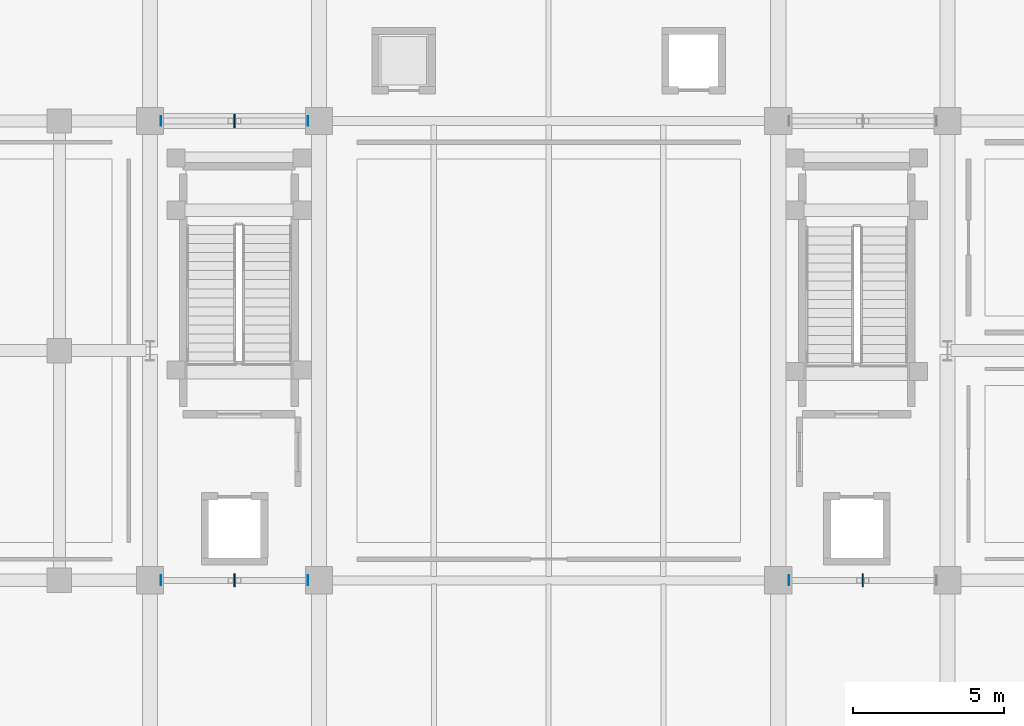
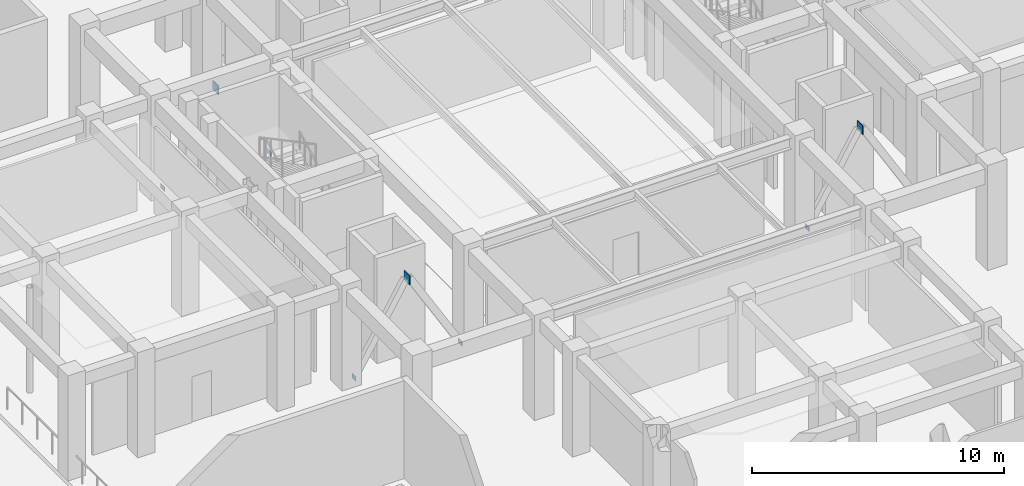
# One storey, part 63 of 99: 8 plates.
"""IFC4 building model written with IfcOpenShell, lengths in metres."""

from ifc_helpers import new_model, si_unit, direction, frame, origin, origin_2d, place, context, subcontext, project, spatial, rectangle, extrude, material, layer, layer_set, type_object, element, save


model = new_model("IFC4")

# Units and contexts
model_context = context("Model", 3, precision=1e-05, world=origin(), true_north=direction((0.0, 1.0)))
body_context = subcontext(model_context, "Body", "Model", "MODEL_VIEW")
ifc_project = project(units=[si_unit("LENGTHUNIT", "METRE"), si_unit("AREAUNIT", "SQUARE_METRE"), si_unit("VOLUMEUNIT", "CUBIC_METRE"), si_unit("PLANEANGLEUNIT", "RADIAN"), si_unit("MASSUNIT", "GRAM", prefix="KILO")], contexts=[model_context])

# Site, building, storey
site_placement = place(None, origin())
site = spatial("IfcSite", under=ifc_project, at=site_placement, CompositionType="ELEMENT")
building_placement = place(site_placement, origin())
building = spatial("IfcBuilding", under=site, at=building_placement, Name="Saryqyr Civic Hall", CompositionType="ELEMENT")
storey_placement = place(building_placement, origin())
storey = spatial("IfcBuildingStorey", under=building, at=storey_placement, Name="L00", CompositionType="ELEMENT", Elevation=0.0)

# Plates
ifc_material = material(Name="Steel S355", Category="steel")
ifc_layer_1 = layer(ifc_material, 0.01611328125, Name="Steel S355")
ifc_layer_set_1 = layer_set([ifc_layer_1], Name="Steel S355")
plate_type_1 = type_object("IfcPlateType", Name="STR-PLT-CAP16", PredefinedType="USERDEFINED", material=ifc_layer_set_1)
for number, where, z_axis, x_axis, name in (
    (1, (44.159912109375, 76.39990234375, 0.01025390625), (0.0, 0.0, 1.0), (1.0, 0.0, 0.0), "Hollow section end cap V1-BRCAP-1A0-L00"),
    (2, (49.0400390625, 76.39990234375, 0.01025390625), (0.0, 0.0, 1.0), (1.0, 0.0, 0.0), "Hollow section end cap V1-BRCAP-1B0-L00"),
    (3, (64.9599609375, 76.39990234375, 0.01025390625), (0.0, 0.0, 1.0), (1.0, 0.0, 0.0), "Hollow section end cap V1-BRCAP-2A0-L00"),
    (4, (44.159912109375, 91.60009765625, 0.01025390625), (0.0, 0.0, 1.0), (1.0, 0.0, 0.0), "Hollow section end cap V1-BRCAP-3A0-L00"),
    (5, (49.0400390625, 91.60009765625, 0.01025390625), (0.0, 0.0, 1.0), (1.0, 0.0, 0.0), "Hollow section end cap V1-BRCAP-3B0-L00"),
):
    element("IfcPlate", number, at=place(storey_placement, frame(where, z_axis=z_axis, x_axis=x_axis)), inside=storey, type_object=plate_type_1, Name=name, ObjectType="FLANGE_PLATE", PredefinedType="USERDEFINED", context=body_context, shape_type="SweptSolid", body=[
        extrude(rectangle(XDim=0.01611328125, YDim=0.320068359375, at=origin_2d()), origin(), (0.0, 0.0, 1.0), 0.219970703125),
    ])
ifc_layer_2 = layer(ifc_material, 0.0400390625, Name="Steel S355")
ifc_layer_set_2 = layer_set([ifc_layer_2], Name="Steel S355")
plate_type_2 = type_object("IfcPlateType", Name="STR-PLT-GUS40", PredefinedType="USERDEFINED", material=ifc_layer_set_2)
for number, where, z_axis, x_axis, name in (
    (6, (46.60009765625, 76.39990234375, 3.880126953125), (0.0, 0.0, 1.0), (1.0, 0.0, 0.0), "Hollow section end cap V1-BRGUS-1-L00"),
    (7, (67.39990234375, 76.39990234375, 3.880126953125), (0.0, 0.0, 1.0), (1.0, 0.0, 0.0), "Hollow section end cap V1-BRGUS-2-L00"),
    (8, (46.60009765625, 91.60009765625, 3.880126953125), (0.0, 0.0, 1.0), (1.0, 0.0, 0.0), "Hollow section end cap V1-BRGUS-3-L00"),
):
    element("IfcPlate", number, at=place(storey_placement, frame(where, z_axis=z_axis, x_axis=x_axis)), inside=storey, type_object=plate_type_2, Name=name, ObjectType="FLANGE_PLATE", PredefinedType="USERDEFINED", context=body_context, shape_type="SweptSolid", body=[
        extrude(rectangle(XDim=0.0400390625, YDim=0.43994140625, at=origin_2d()), origin(), (0.0, 0.0, 1.0), 0.43994140625),
    ])

save(model, "model.ifc")
